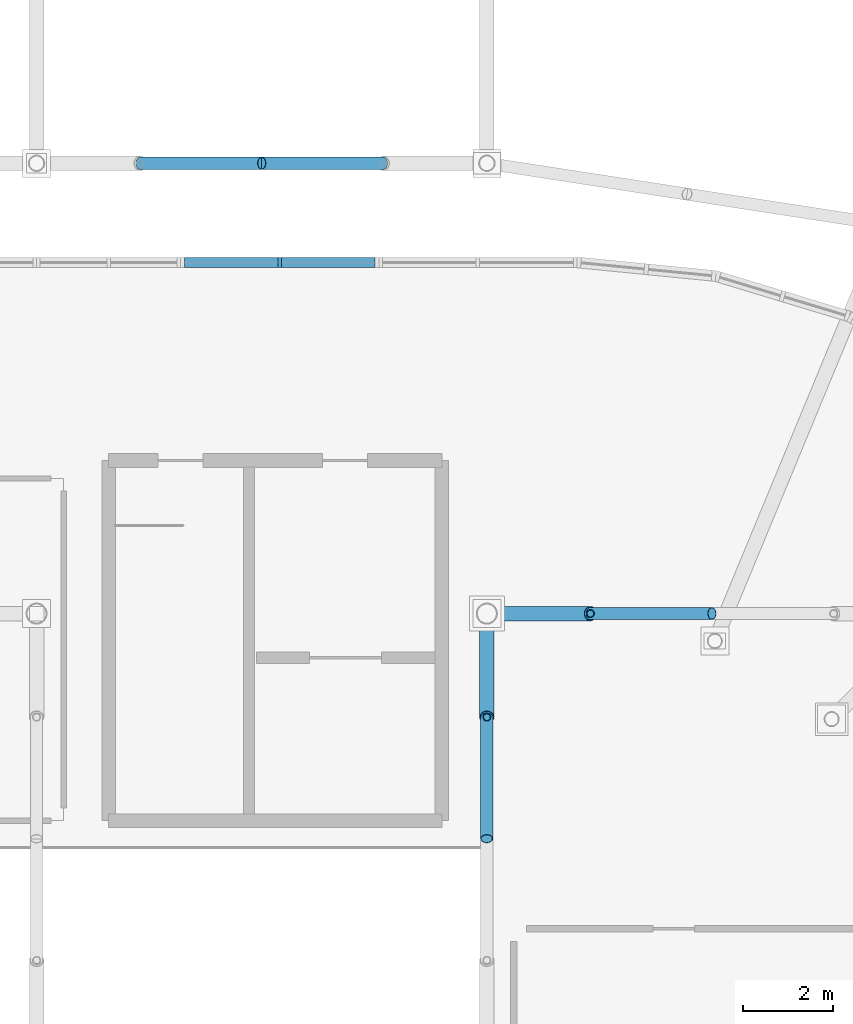
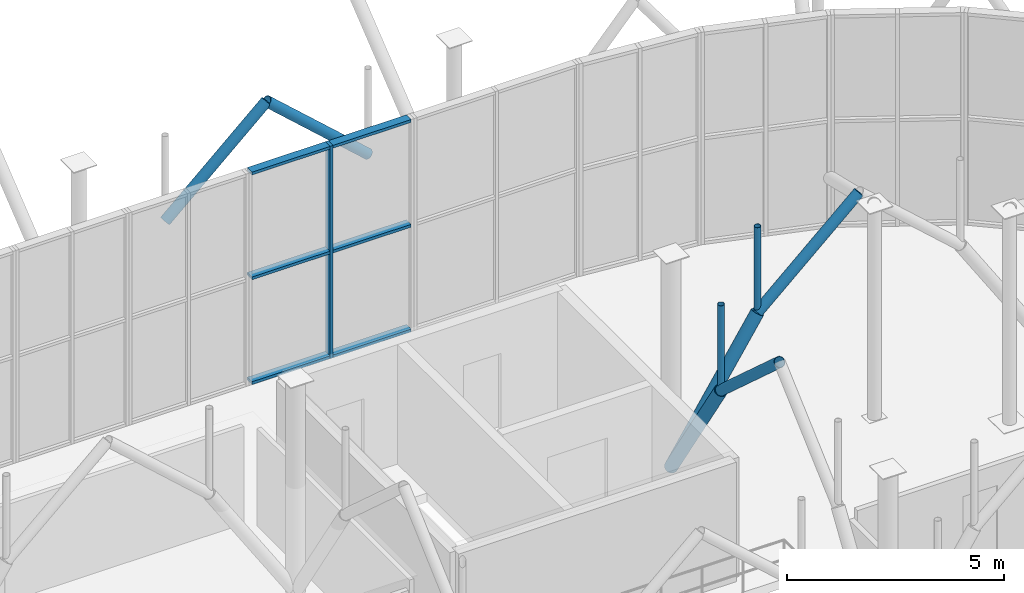
# One storey, part 76 of 109: 15 members, 1 element without a shape of its own.
"""IFC4 building model written with IfcOpenShell, lengths in metres."""

from ifc_helpers import new_model, si_unit, derived_unit, direction, frame, origin, origin_2d_with_axis, place, context, subcontext, project, spatial, rectangle, hollow_circle, extrude, material, material_profile, profile_set, type_object, element, aggregate, save


model = new_model("IFC4")

# Units and contexts
model_context = context("Model", 3, precision=1e-05, world=origin(), true_north=direction((0.0, 1.0)))
body_context = subcontext(model_context, "Body", "Model", "MODEL_VIEW")
ifc_project = project(units=[si_unit("LENGTHUNIT", "METRE"), si_unit("AREAUNIT", "SQUARE_METRE"), si_unit("VOLUMEUNIT", "CUBIC_METRE"), si_unit("PLANEANGLEUNIT", "RADIAN"), si_unit("MASSUNIT", "GRAM", prefix="KILO"), derived_unit("THERMALTRANSMITTANCEUNIT", [(si_unit("POWERUNIT", "WATT"), 1), (si_unit("LENGTHUNIT", "METRE"), -2), (si_unit("THERMODYNAMICTEMPERATUREUNIT", "KELVIN"), -1)])], contexts=[model_context])

# Site, building, storey
site_placement = place(None, origin())
site = spatial("IfcSite", under=ifc_project, at=site_placement, CompositionType="ELEMENT")
building_placement = place(site_placement, origin())
building = spatial("IfcBuilding", under=site, at=building_placement, Name="Cinnabar Yard Market Hall", CompositionType="ELEMENT")
storey_placement = place(building_placement, frame((0.0, 0.0, 8.39990234375)))
storey = spatial("IfcBuildingStorey", under=building, at=storey_placement, Name="L02", CompositionType="ELEMENT", Elevation=8.39990234375)

# Curtain wall, members
ifc_material_1 = material(Name="Anodised bronze aluminium and low-E glass", Category="aluminium")
curtain_wall_type = type_object("IfcCurtainWallType", Name="CW-CWH044x60", PredefinedType="NOTDEFINED", material=ifc_material_1)
curtain_wall_placement = place(storey_placement, origin())
curtain_wall = element("IfcCurtainWall", 1, at=curtain_wall_placement, inside=storey, type_object=curtain_wall_type, Name="Market Hall North Upper Clerestory PTE", PredefinedType="NOTDEFINED")
ifc_material_2 = material(Name="Anodised bronze aluminium", Category="aluminium")
ifc_material_profile_1 = material_profile(ifc_material_2, rectangle(XDim=0.219970703125, YDim=0.080078125, at=origin_2d_with_axis()), Name="MUL-CWH")
ifc_profile_set_1 = profile_set([ifc_material_profile_1], Name="Anodised bronze aluminium")
member_type_1 = type_object("IfcMemberType", Name="CWM-CWH", PredefinedType="MULLION", material=ifc_profile_set_1)
member_1_placement = place(storey_placement, frame((141.39990234375, 71.800048828125, 0.0), z_axis=(0.0, 0.0, 1.0), x_axis=(0.0, -1.0, 0.0)))
member_1 = element("IfcMember", 2, at=member_1_placement, type_object=member_type_1, Name="CWH044x60 mullion 2", PredefinedType="MULLION", context=body_context, shape_type="SweptSolid", body=[
    extrude(rectangle(XDim=0.219970703125, YDim=0.080078125, at=origin_2d_with_axis()), origin(), (0.0, 0.0, 1.0), 5.97998046875),
])
ifc_material_profile_2 = material_profile(ifc_material_2, rectangle(XDim=0.219970703125, YDim=0.080078125, at=origin_2d_with_axis()), Name="TRN-CWH")
ifc_profile_set_2 = profile_set([ifc_material_profile_2], Name="Anodised bronze aluminium")
member_type_2 = type_object("IfcMemberType", Name="CWT-CWH", PredefinedType="USERDEFINED", material=ifc_profile_set_2)
member_2_placement = place(storey_placement, frame((143.52001953125, 71.800048828125, 0.0400390625), z_axis=(-1.0, 0.0, 0.0), x_axis=(0.0, -1.0, 0.0)))
member_2 = element("IfcMember", 3, at=member_2_placement, type_object=member_type_2, Name="CWH044x60 transom 1.1", ObjectType="TRANSOM", PredefinedType="USERDEFINED", context=body_context, shape_type="SweptSolid", body=[
    extrude(rectangle(XDim=0.219970703125, YDim=0.080078125, at=origin_2d_with_axis()), origin(), (0.0, 0.0, 1.0), 2.080078125),
])
member_3_placement = place(storey_placement, frame((143.52001953125, 71.800048828125, 2.989990234375), z_axis=(-1.0, 0.0, 0.0), x_axis=(0.0, -1.0, 0.0)))
member_3 = element("IfcMember", 4, at=member_3_placement, type_object=member_type_2, Name="CWH044x60 transom 1.2", ObjectType="TRANSOM", PredefinedType="USERDEFINED", context=body_context, shape_type="SweptSolid", body=[
    extrude(rectangle(XDim=0.219970703125, YDim=0.080078125, at=origin_2d_with_axis()), origin(), (0.0, 0.0, 1.0), 2.080078125),
])
member_4_placement = place(storey_placement, frame((143.52001953125, 71.800048828125, 5.940185546875), z_axis=(-1.0, 0.0, 0.0), x_axis=(0.0, -1.0, 0.0)))
member_4 = element("IfcMember", 5, at=member_4_placement, type_object=member_type_2, Name="CWH044x60 transom 1.3", ObjectType="TRANSOM", PredefinedType="USERDEFINED", context=body_context, shape_type="SweptSolid", body=[
    extrude(rectangle(XDim=0.219970703125, YDim=0.080078125, at=origin_2d_with_axis()), origin(), (0.0, 0.0, 1.0), 2.080078125),
])
member_5_placement = place(storey_placement, frame((141.360107421875, 71.800048828125, 0.0400390625), z_axis=(-1.0, 0.0, 0.0), x_axis=(0.0, -1.0, 0.0)))
member_5 = element("IfcMember", 6, at=member_5_placement, type_object=member_type_2, Name="CWH044x60 transom 2.1", ObjectType="TRANSOM", PredefinedType="USERDEFINED", context=body_context, shape_type="SweptSolid", body=[
    extrude(rectangle(XDim=0.219970703125, YDim=0.080078125, at=origin_2d_with_axis()), origin(), (0.0, 0.0, 1.0), 2.080078125),
])
member_6_placement = place(storey_placement, frame((141.360107421875, 71.800048828125, 2.989990234375), z_axis=(-1.0, 0.0, 0.0), x_axis=(0.0, -1.0, 0.0)))
member_6 = element("IfcMember", 7, at=member_6_placement, type_object=member_type_2, Name="CWH044x60 transom 2.2", ObjectType="TRANSOM", PredefinedType="USERDEFINED", context=body_context, shape_type="SweptSolid", body=[
    extrude(rectangle(XDim=0.219970703125, YDim=0.080078125, at=origin_2d_with_axis()), origin(), (0.0, 0.0, 1.0), 2.080078125),
])
member_7_placement = place(storey_placement, frame((141.360107421875, 71.800048828125, 5.940185546875), z_axis=(-1.0, 0.0, 0.0), x_axis=(0.0, -1.0, 0.0)))
member_7 = element("IfcMember", 8, at=member_7_placement, type_object=member_type_2, Name="CWH044x60 transom 2.3", ObjectType="TRANSOM", PredefinedType="USERDEFINED", context=body_context, shape_type="SweptSolid", body=[
    extrude(rectangle(XDim=0.219970703125, YDim=0.080078125, at=origin_2d_with_axis()), origin(), (0.0, 0.0, 1.0), 2.080078125),
])
aggregate(curtain_wall, [member_1, member_2, member_3, member_4, member_5, member_6, member_7])

# Members
ifc_material_3 = material(Name="Spotted-gum glulam-clad steel Grade 350 (350 MPa)", Category="steel")
ifc_material_profile_3 = material_profile(ifc_material_3, hollow_circle(Radius=0.136474609375, WallThickness=0.00927734375, at=origin_2d_with_axis()), Name="273.1x9.3CHS")
ifc_profile_set_3 = profile_set([ifc_material_profile_3], Name="Spotted-gum glulam-clad steel Grade 350 (350 MPa)")
member_type_3 = type_object("IfcMemberType", Name="MB-AR01", PredefinedType="USERDEFINED", material=ifc_profile_set_3)
for number, where, z_axis, x_axis, name in (
    (9, (148.300048828125, 64.0, 3.550048828125), (0.743297488271, 0.0, 0.668961018244), (0.0, 1.0, 0.0), "Pointed Arch Rib 0130"),
    (10, (146.0, 61.699951171875, 3.550048828125), (0.0, -0.743297488271, 0.668961018244), (1.0, 0.0, 0.0), "Pointed Arch Rib 0131"),
):
    element("IfcMember", number, at=place(storey_placement, frame(where, z_axis=z_axis, x_axis=x_axis)), inside=storey, type_object=member_type_3, Name=name, ObjectType="ARCH RIB", PredefinedType="USERDEFINED", context=body_context, shape_type="SweptSolid", body=[
        extrude(hollow_circle(Radius=0.136474609375, WallThickness=0.00927734375, at=origin_2d_with_axis()), origin(), (0.0, 0.0, 1.0), 3.63232421875),
    ])
ifc_material_profile_4 = material_profile(ifc_material_3, hollow_circle(Radius=0.136474609375, WallThickness=0.00927734375, at=origin_2d_with_axis()), Name="273.1x9.3CHS")
ifc_profile_set_4 = profile_set([ifc_material_profile_4], Name="Spotted-gum glulam-clad steel Grade 350 (350 MPa)")
member_type_4 = type_object("IfcMemberType", Name="MB-AR01E", PredefinedType="USERDEFINED", material=ifc_profile_set_4)
for number, where, z_axis, x_axis, name in (
    (11, (138.300048828125, 74.0, 3.550048828125), (0.743297488271, 0.0, 0.668961018244), (0.0, 1.0, 0.0), "Pointed Arch Rib 0165"),
    (12, (143.699951171875, 74.0, 3.550048828125), (-0.743297488271, 0.0, 0.668961018244), (0.0, -1.0, 0.0), "Pointed Arch Rib 0168"),
):
    element("IfcMember", number, at=place(storey_placement, frame(where, z_axis=z_axis, x_axis=x_axis)), inside=storey, type_object=member_type_4, Name=name, ObjectType="ARCH RIB", PredefinedType="USERDEFINED", context=body_context, shape_type="SweptSolid", body=[
        extrude(hollow_circle(Radius=0.136474609375, WallThickness=0.00927734375, at=origin_2d_with_axis()), origin(), (0.0, 0.0, 1.0), 3.63232421875),
    ])
ifc_material_profile_5 = material_profile(ifc_material_3, hollow_circle(Radius=0.161865234375, WallThickness=0.009521484375, at=origin_2d_with_axis()), Name="323.9x9.5CHS")
ifc_profile_set_5 = profile_set([ifc_material_profile_5], Name="Spotted-gum glulam-clad steel Grade 350 (350 MPa)")
member_type_5 = type_object("IfcMemberType", Name="MB-ST01", PredefinedType="STRUT", material=ifc_profile_set_5)
for number, where, z_axis, x_axis, name in (
    (13, (146.0, 64.0, 0.0), (0.543744165176, 0.0, 0.839251024925), (0.0, 1.0, 0.0), "Curved Branch Arm Lower 0130"),
    (14, (146.0, 64.0, 0.0), (0.0, -0.543744165176, 0.839251024925), (1.0, 0.0, 0.0), "Curved Branch Arm Lower 0131"),
):
    element("IfcMember", number, at=place(storey_placement, frame(where, z_axis=z_axis, x_axis=x_axis)), inside=storey, type_object=member_type_5, Name=name, PredefinedType="STRUT", context=body_context, shape_type="SweptSolid", body=[
        extrude(hollow_circle(Radius=0.161865234375, WallThickness=0.009521484375, at=origin_2d_with_axis()), origin(), (0.0, 0.0, 1.0), 4.22998046875),
    ])
ifc_material_4 = material(Name="Cold-formed steel C350L0", Category="steel")
ifc_material_profile_6 = material_profile(ifc_material_4, hollow_circle(Radius=0.084228515625, WallThickness=0.00634765625, at=origin_2d_with_axis()), Name="168.3x6.4CHS")
ifc_profile_set_6 = profile_set([ifc_material_profile_6], Name="Cold-formed steel C350L0")
member_type_6 = type_object("IfcMemberType", Name="MB-WB01", PredefinedType="STRUT", material=ifc_profile_set_6)
for number, where, z_axis, x_axis, name in (
    (15, (148.300048828125, 64.0, 3.550048828125), (0.0, 0.0, 1.0), (1.0, 0.0, 0.0), "Arch Spandrel Post 0130"),
    (16, (146.0, 61.699951171875, 3.550048828125), (0.0, 0.0, 1.0), (1.0, 0.0, 0.0), "Arch Spandrel Post 0131"),
):
    element("IfcMember", number, at=place(storey_placement, frame(where, z_axis=z_axis, x_axis=x_axis)), inside=storey, type_object=member_type_6, Name=name, PredefinedType="STRUT", context=body_context, shape_type="SweptSolid", body=[
        extrude(hollow_circle(Radius=0.084228515625, WallThickness=0.00634765625, at=origin_2d_with_axis()), origin(), (0.0, 0.0, 1.0), 2.429931640625),
    ])

save(model, "model.ifc")
